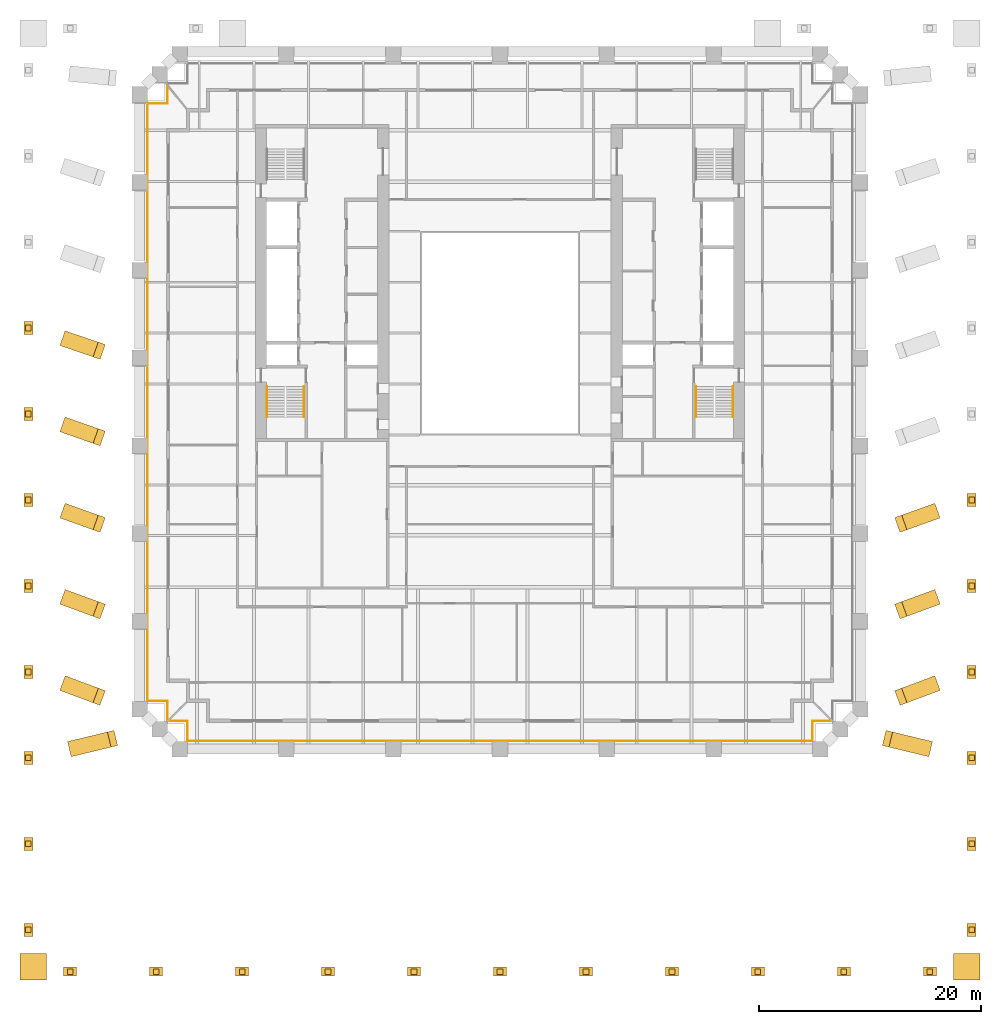
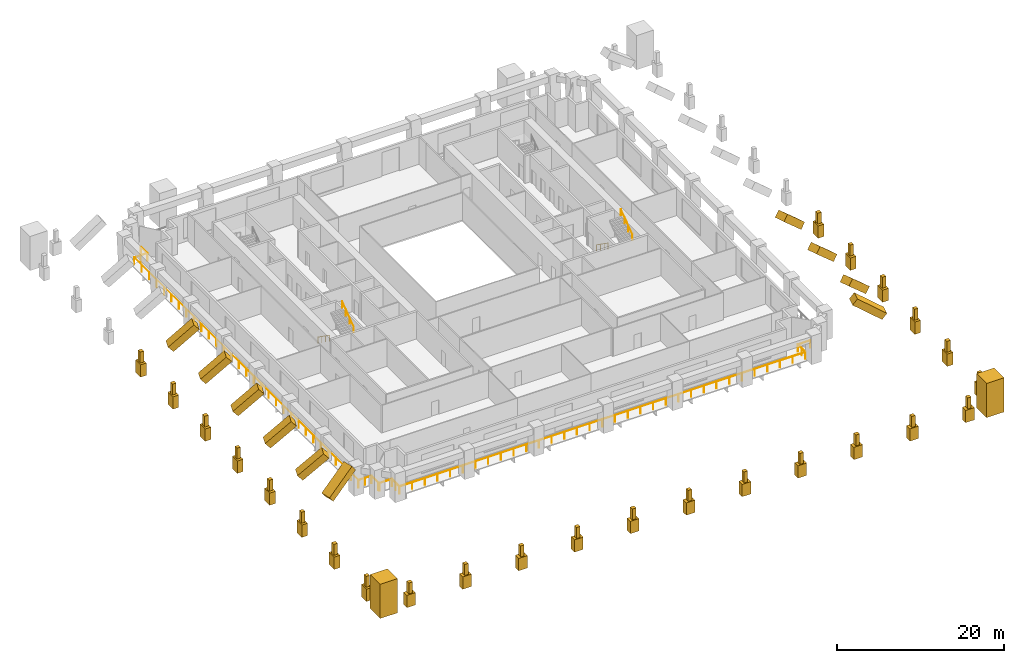
# One storey, part 9 of 10: 62 coverings, 6 railings.
"""IFC4 building model written with IfcOpenShell, lengths in metres."""

from ifc_helpers import new_model, si_unit, direction, frame, origin, origin_2d, place, context, subcontext, project, spatial, rectangle, circle, extrude, material, material_profile, profile_set, type_object, element, save


model = new_model("IFC4")

# Units and contexts
model_context = context("Model", 3, precision=1e-05, world=origin(), true_north=direction((0.0, 1.0)))
body_context = subcontext(model_context, "Body", "Model", "MODEL_VIEW")
ifc_project = project(units=[si_unit("LENGTHUNIT", "METRE"), si_unit("AREAUNIT", "SQUARE_METRE"), si_unit("VOLUMEUNIT", "CUBIC_METRE"), si_unit("PLANEANGLEUNIT", "RADIAN"), si_unit("MASSUNIT", "GRAM", prefix="KILO")], contexts=[model_context])

# Site, building, storey
site_placement = place(None, origin())
site = spatial("IfcSite", under=ifc_project, at=site_placement, CompositionType="ELEMENT")
building_placement = place(site_placement, origin())
building = spatial("IfcBuilding", under=site, at=building_placement, Name="Ogive Exchange Tower", CompositionType="ELEMENT")
storey_placement = place(building_placement, frame((0.0, 0.0, 39.60009765625)))
storey = spatial("IfcBuildingStorey", under=building, at=storey_placement, Name="L07", CompositionType="ELEMENT", Elevation=39.60009765625)

# Railings
ifc_material_1 = material(Name="Stainless steel 316", Category="steel")
railing_type_1 = type_object("IfcRailingType", Name="Guard 1100 stainless steel and glass", PredefinedType="GUARDRAIL", material=ifc_material_1)
railing_1_placement = place(storey_placement, frame((29.7880859375, -27.8798828125, -0.050048828125)))
element("IfcRailing", 1, at=railing_1_placement, inside=storey, type_object=railing_type_1, Name="Loggia guard 1", PredefinedType="GUARDRAIL", context=body_context, shape_type="SweptSolid", body=[
    extrude(circle(Radius=0.02392578125, at=origin_2d()), frame((0.0, 0.0, 1.076171875), z_axis=(-1.0, 0.0, 0.0), x_axis=(0.0, -1.0, 0.0)), (0.0, 0.0, 1.0), 1.7080078125),
    extrude(circle(Radius=0.02392578125, at=origin_2d()), frame((-1.7080078125, 0.0, 1.076171875), z_axis=(0.0, -1.0, 0.0), x_axis=(1.0, 0.0, 0.0)), (0.0, 0.0, 1.0), 1.800048828125),
    extrude(circle(Radius=0.02392578125, at=origin_2d()), frame((-1.7080078125, -1.800048828125, 1.076171875), z_axis=(-1.0, 0.0, 0.0), x_axis=(0.0, -1.0, 0.0)), (0.0, 0.0, 1.0), 56.16015625),
    extrude(circle(Radius=0.02392578125, at=origin_2d()), frame((-57.8681640625, -1.800048828125, 1.076171875), z_axis=(0.0, 1.0, 0.0), x_axis=(-1.0, 0.0, 0.0)), (0.0, 0.0, 1.0), 1.800048828125),
    extrude(circle(Radius=0.02392578125, at=origin_2d()), frame((-57.8681640625, 0.0, 1.076171875), z_axis=(-1.0, 0.0, 0.0), x_axis=(0.0, -1.0, 0.0)), (0.0, 0.0, 1.0), 1.7080078125),
    extrude(circle(Radius=0.02099609375, at=origin_2d()), origin(), (0.0, 0.0, 1.0), 1.052001953125),
    extrude(circle(Radius=0.02099609375, at=origin_2d()), frame((-1.7080078125, 0.0, 0.0)), (0.0, 0.0, 1.0), 1.052001953125),
    extrude(circle(Radius=0.02099609375, at=origin_2d()), frame((-1.7080078125, -0.89990234375, 0.0)), (0.0, 0.0, 1.0), 1.052001953125),
    extrude(circle(Radius=0.02099609375, at=origin_2d()), frame((-1.7080078125, -1.800048828125, 0.0)), (0.0, 0.0, 1.0), 1.052001953125),
    extrude(circle(Radius=0.02099609375, at=origin_2d()), frame((-3.462890625, -1.800048828125, 0.0)), (0.0, 0.0, 1.0), 1.052001953125),
    extrude(circle(Radius=0.02099609375, at=origin_2d()), frame((-5.218017578125, -1.800048828125, 0.0)), (0.0, 0.0, 1.0), 1.052001953125),
    extrude(circle(Radius=0.02099609375, at=origin_2d()), frame((-6.97314453125, -1.800048828125, 0.0)), (0.0, 0.0, 1.0), 1.052001953125),
    extrude(circle(Radius=0.02099609375, at=origin_2d()), frame((-8.72802734375, -1.800048828125, 0.0)), (0.0, 0.0, 1.0), 1.052001953125),
    extrude(circle(Radius=0.02099609375, at=origin_2d()), frame((-10.48291015625, -1.800048828125, 0.0)), (0.0, 0.0, 1.0), 1.052001953125),
    extrude(circle(Radius=0.02099609375, at=origin_2d()), frame((-12.238037109375, -1.800048828125, 0.0)), (0.0, 0.0, 1.0), 1.052001953125),
    extrude(circle(Radius=0.02099609375, at=origin_2d()), frame((-13.9931640625, -1.800048828125, 0.0)), (0.0, 0.0, 1.0), 1.052001953125),
    extrude(circle(Radius=0.02099609375, at=origin_2d()), frame((-15.748046875, -1.800048828125, 0.0)), (0.0, 0.0, 1.0), 1.052001953125),
    extrude(circle(Radius=0.02099609375, at=origin_2d()), frame((-17.5029296875, -1.800048828125, 0.0)), (0.0, 0.0, 1.0), 1.052001953125),
    extrude(circle(Radius=0.02099609375, at=origin_2d()), frame((-19.258056640625, -1.800048828125, 0.0)), (0.0, 0.0, 1.0), 1.052001953125),
    extrude(circle(Radius=0.02099609375, at=origin_2d()), frame((-21.01318359375, -1.800048828125, 0.0)), (0.0, 0.0, 1.0), 1.052001953125),
    extrude(circle(Radius=0.02099609375, at=origin_2d()), frame((-22.76806640625, -1.800048828125, 0.0)), (0.0, 0.0, 1.0), 1.052001953125),
    extrude(circle(Radius=0.02099609375, at=origin_2d()), frame((-24.52294921875, -1.800048828125, 0.0)), (0.0, 0.0, 1.0), 1.052001953125),
    extrude(circle(Radius=0.02099609375, at=origin_2d()), frame((-26.278076171875, -1.800048828125, 0.0)), (0.0, 0.0, 1.0), 1.052001953125),
    extrude(circle(Radius=0.02099609375, at=origin_2d()), frame((-28.033203125, -1.800048828125, 0.0)), (0.0, 0.0, 1.0), 1.052001953125),
    extrude(circle(Radius=0.02099609375, at=origin_2d()), frame((-29.7880859375, -1.800048828125, 0.0)), (0.0, 0.0, 1.0), 1.052001953125),
    extrude(circle(Radius=0.02099609375, at=origin_2d()), frame((-31.54296875, -1.800048828125, 0.0)), (0.0, 0.0, 1.0), 1.052001953125),
    extrude(circle(Radius=0.02099609375, at=origin_2d()), frame((-33.298095703125, -1.800048828125, 0.0)), (0.0, 0.0, 1.0), 1.052001953125),
    extrude(circle(Radius=0.02099609375, at=origin_2d()), frame((-35.05322265625, -1.800048828125, 0.0)), (0.0, 0.0, 1.0), 1.052001953125),
    extrude(circle(Radius=0.02099609375, at=origin_2d()), frame((-36.80810546875, -1.800048828125, 0.0)), (0.0, 0.0, 1.0), 1.052001953125),
    extrude(circle(Radius=0.02099609375, at=origin_2d()), frame((-38.56298828125, -1.800048828125, 0.0)), (0.0, 0.0, 1.0), 1.052001953125),
    extrude(circle(Radius=0.02099609375, at=origin_2d()), frame((-40.318115234375, -1.800048828125, 0.0)), (0.0, 0.0, 1.0), 1.052001953125),
    extrude(circle(Radius=0.02099609375, at=origin_2d()), frame((-42.0732421875, -1.800048828125, 0.0)), (0.0, 0.0, 1.0), 1.052001953125),
    extrude(circle(Radius=0.02099609375, at=origin_2d()), frame((-43.828125, -1.800048828125, 0.0)), (0.0, 0.0, 1.0), 1.052001953125),
    extrude(circle(Radius=0.02099609375, at=origin_2d()), frame((-45.5830078125, -1.800048828125, 0.0)), (0.0, 0.0, 1.0), 1.052001953125),
    extrude(circle(Radius=0.02099609375, at=origin_2d()), frame((-47.338134765625, -1.800048828125, 0.0)), (0.0, 0.0, 1.0), 1.052001953125),
    extrude(circle(Radius=0.02099609375, at=origin_2d()), frame((-49.09326171875, -1.800048828125, 0.0)), (0.0, 0.0, 1.0), 1.052001953125),
    extrude(circle(Radius=0.02099609375, at=origin_2d()), frame((-50.84814453125, -1.800048828125, 0.0)), (0.0, 0.0, 1.0), 1.052001953125),
    extrude(circle(Radius=0.02099609375, at=origin_2d()), frame((-52.60302734375, -1.800048828125, 0.0)), (0.0, 0.0, 1.0), 1.052001953125),
    extrude(circle(Radius=0.02099609375, at=origin_2d()), frame((-54.358154296875, -1.800048828125, 0.0)), (0.0, 0.0, 1.0), 1.052001953125),
    extrude(circle(Radius=0.02099609375, at=origin_2d()), frame((-56.11328125, -1.800048828125, 0.0)), (0.0, 0.0, 1.0), 1.052001953125),
    extrude(circle(Radius=0.02099609375, at=origin_2d()), frame((-57.8681640625, -1.800048828125, 0.0)), (0.0, 0.0, 1.0), 1.052001953125),
    extrude(circle(Radius=0.02099609375, at=origin_2d()), frame((-57.8681640625, -0.89990234375, 0.0)), (0.0, 0.0, 1.0), 1.052001953125),
    extrude(circle(Radius=0.02099609375, at=origin_2d()), frame((-57.8681640625, 0.0, 0.0)), (0.0, 0.0, 1.0), 1.052001953125),
    extrude(circle(Radius=0.02099609375, at=origin_2d()), frame((-59.576171875, 0.0, 0.0)), (0.0, 0.0, 1.0), 1.052001953125),
])
railing_2_placement = place(storey_placement, frame((-29.8798828125, -27.7880859375, -0.050048828125)))
element("IfcRailing", 2, at=railing_2_placement, inside=storey, type_object=railing_type_1, Name="Loggia guard 2", PredefinedType="GUARDRAIL", context=body_context, shape_type="SweptSolid", body=[
    extrude(circle(Radius=0.02392578125, at=origin_2d()), frame((0.0, 0.0, 1.076171875), z_axis=(0.0, 1.0, 0.0), x_axis=(-1.0, 0.0, 0.0)), (0.0, 0.0, 1.0), 1.7080078125),
    extrude(circle(Radius=0.02392578125, at=origin_2d()), frame((0.0, 1.7080078125, 1.076171875), z_axis=(-1.0, 0.0, 0.0), x_axis=(0.0, -1.0, 0.0)), (0.0, 0.0, 1.0), 1.800048828125),
    extrude(circle(Radius=0.02392578125, at=origin_2d()), frame((-1.800048828125, 1.7080078125, 1.076171875), z_axis=(0.0, 1.0, 0.0), x_axis=(-1.0, 0.0, 0.0)), (0.0, 0.0, 1.0), 53.70556640625),
    extrude(circle(Radius=0.02392578125, at=origin_2d()), frame((-1.800048828125, 55.41357421875, 1.076171875), z_axis=(1.0, 0.0, 0.0), x_axis=(0.0, 1.0, 0.0)), (0.0, 0.0, 1.0), 1.800048828125),
    extrude(circle(Radius=0.02392578125, at=origin_2d()), frame((0.0, 55.41357421875, 1.076171875), z_axis=(0.0, 1.0, 0.0), x_axis=(-1.0, 0.0, 0.0)), (0.0, 0.0, 1.0), 1.533447265625),
    extrude(circle(Radius=0.02099609375, at=origin_2d()), origin(), (0.0, 0.0, 1.0), 1.052001953125),
    extrude(circle(Radius=0.02099609375, at=origin_2d()), frame((0.0, 1.7080078125, 0.0)), (0.0, 0.0, 1.0), 1.052001953125),
    extrude(circle(Radius=0.02099609375, at=origin_2d()), frame((-0.89990234375, 1.7080078125, 0.0)), (0.0, 0.0, 1.0), 1.052001953125),
    extrude(circle(Radius=0.02099609375, at=origin_2d()), frame((-1.800048828125, 1.7080078125, 0.0)), (0.0, 0.0, 1.0), 1.052001953125),
    extrude(circle(Radius=0.02099609375, at=origin_2d()), frame((-1.800048828125, 3.498291015625, 0.0)), (0.0, 0.0, 1.0), 1.052001953125),
    extrude(circle(Radius=0.02099609375, at=origin_2d()), frame((-1.800048828125, 5.288330078125, 0.0)), (0.0, 0.0, 1.0), 1.052001953125),
    extrude(circle(Radius=0.02099609375, at=origin_2d()), frame((-1.800048828125, 7.07861328125, 0.0)), (0.0, 0.0, 1.0), 1.052001953125),
    extrude(circle(Radius=0.02099609375, at=origin_2d()), frame((-1.800048828125, 8.86865234375, 0.0)), (0.0, 0.0, 1.0), 1.052001953125),
    extrude(circle(Radius=0.02099609375, at=origin_2d()), frame((-1.800048828125, 10.658935546875, 0.0)), (0.0, 0.0, 1.0), 1.052001953125),
    extrude(circle(Radius=0.02099609375, at=origin_2d()), frame((-1.800048828125, 12.44921875, 0.0)), (0.0, 0.0, 1.0), 1.052001953125),
    extrude(circle(Radius=0.02099609375, at=origin_2d()), frame((-1.800048828125, 14.2392578125, 0.0)), (0.0, 0.0, 1.0), 1.052001953125),
    extrude(circle(Radius=0.02099609375, at=origin_2d()), frame((-1.800048828125, 16.029541015625, 0.0)), (0.0, 0.0, 1.0), 1.052001953125),
    extrude(circle(Radius=0.02099609375, at=origin_2d()), frame((-1.800048828125, 17.819580078125, 0.0)), (0.0, 0.0, 1.0), 1.052001953125),
    extrude(circle(Radius=0.02099609375, at=origin_2d()), frame((-1.800048828125, 19.60986328125, 0.0)), (0.0, 0.0, 1.0), 1.052001953125),
    extrude(circle(Radius=0.02099609375, at=origin_2d()), frame((-1.800048828125, 21.400146484375, 0.0)), (0.0, 0.0, 1.0), 1.052001953125),
    extrude(circle(Radius=0.02099609375, at=origin_2d()), frame((-1.800048828125, 23.190185546875, 0.0)), (0.0, 0.0, 1.0), 1.052001953125),
    extrude(circle(Radius=0.02099609375, at=origin_2d()), frame((-1.800048828125, 24.98046875, 0.0)), (0.0, 0.0, 1.0), 1.052001953125),
    extrude(circle(Radius=0.02099609375, at=origin_2d()), frame((-1.800048828125, 26.7705078125, 0.0)), (0.0, 0.0, 1.0), 1.052001953125),
    extrude(circle(Radius=0.02099609375, at=origin_2d()), frame((-1.800048828125, 28.560791015625, 0.0)), (0.0, 0.0, 1.0), 1.052001953125),
    extrude(circle(Radius=0.02099609375, at=origin_2d()), frame((-1.800048828125, 30.35107421875, 0.0)), (0.0, 0.0, 1.0), 1.052001953125),
    extrude(circle(Radius=0.02099609375, at=origin_2d()), frame((-1.800048828125, 32.14111328125, 0.0)), (0.0, 0.0, 1.0), 1.052001953125),
    extrude(circle(Radius=0.02099609375, at=origin_2d()), frame((-1.800048828125, 33.931396484375, 0.0)), (0.0, 0.0, 1.0), 1.052001953125),
    extrude(circle(Radius=0.02099609375, at=origin_2d()), frame((-1.800048828125, 35.721435546875, 0.0)), (0.0, 0.0, 1.0), 1.052001953125),
    extrude(circle(Radius=0.02099609375, at=origin_2d()), frame((-1.800048828125, 37.51171875, 0.0)), (0.0, 0.0, 1.0), 1.052001953125),
    extrude(circle(Radius=0.02099609375, at=origin_2d()), frame((-1.800048828125, 39.302001953125, 0.0)), (0.0, 0.0, 1.0), 1.052001953125),
    extrude(circle(Radius=0.02099609375, at=origin_2d()), frame((-1.800048828125, 41.092041015625, 0.0)), (0.0, 0.0, 1.0), 1.052001953125),
    extrude(circle(Radius=0.02099609375, at=origin_2d()), frame((-1.800048828125, 42.88232421875, 0.0)), (0.0, 0.0, 1.0), 1.052001953125),
    extrude(circle(Radius=0.02099609375, at=origin_2d()), frame((-1.800048828125, 44.67236328125, 0.0)), (0.0, 0.0, 1.0), 1.052001953125),
    extrude(circle(Radius=0.02099609375, at=origin_2d()), frame((-1.800048828125, 46.462646484375, 0.0)), (0.0, 0.0, 1.0), 1.052001953125),
    extrude(circle(Radius=0.02099609375, at=origin_2d()), frame((-1.800048828125, 48.2529296875, 0.0)), (0.0, 0.0, 1.0), 1.052001953125),
    extrude(circle(Radius=0.02099609375, at=origin_2d()), frame((-1.800048828125, 50.04296875, 0.0)), (0.0, 0.0, 1.0), 1.052001953125),
    extrude(circle(Radius=0.02099609375, at=origin_2d()), frame((-1.800048828125, 51.833251953125, 0.0)), (0.0, 0.0, 1.0), 1.052001953125),
    extrude(circle(Radius=0.02099609375, at=origin_2d()), frame((-1.800048828125, 53.623291015625, 0.0)), (0.0, 0.0, 1.0), 1.052001953125),
    extrude(circle(Radius=0.02099609375, at=origin_2d()), frame((-1.800048828125, 55.41357421875, 0.0)), (0.0, 0.0, 1.0), 1.052001953125),
    extrude(circle(Radius=0.02099609375, at=origin_2d()), frame((-0.89990234375, 55.41357421875, 0.0)), (0.0, 0.0, 1.0), 1.052001953125),
    extrude(circle(Radius=0.02099609375, at=origin_2d()), frame((0.0, 55.41357421875, 0.0)), (0.0, 0.0, 1.0), 1.052001953125),
    extrude(circle(Radius=0.02099609375, at=origin_2d()), frame((0.0, 56.947021484375, 0.0)), (0.0, 0.0, 1.0), 1.052001953125),
])

# Coverings
ifc_material_2 = material(Name="Precast concrete C50/60", Category="concrete")
ifc_material_profile_1 = material_profile(ifc_material_2, rectangle(XDim=1.199951171875, YDim=0.800048828125, at=origin_2d()), Name="BUTTRESS PIER 3 1200 x 800")
ifc_profile_set_1 = profile_set([ifc_material_profile_1], Name="Precast concrete C50/60")
covering_type_1 = type_object("IfcCoveringType", Name="Precast buttress pier stage 3 1200 x 800 C50/60", PredefinedType="CLADDING", material=ifc_profile_set_1)
for number, where, z_axis, x_axis, name in (
    (3, (-42.39990234375, 7.4599609375, 0.0), (0.0, 0.0, 1.0), (0.0, 1.0, 0.0), "Buttress pier 8 stage 3"),
    (4, (-42.39990234375, -0.27001953125, 0.0), (0.0, 0.0, 1.0), (0.0, 1.0, 0.0), "Buttress pier 9 stage 3"),
    (5, (-42.39990234375, -8.0, 0.0), (0.0, 0.0, 1.0), (0.0, 1.0, 0.0), "Buttress pier 10 stage 3"),
    (6, (-42.39990234375, -15.72998046875, 0.0), (0.0, 0.0, 1.0), (0.0, 1.0, 0.0), "Buttress pier 11 stage 3"),
    (7, (-42.39990234375, -23.4599609375, 0.0), (0.0, 0.0, 1.0), (0.0, 1.0, 0.0), "Buttress pier 12 stage 3"),
    (8, (-42.39990234375, -31.18994140625, 0.0), (0.0, 0.0, 1.0), (0.0, 1.0, 0.0), "Buttress pier 13 stage 3"),
    (9, (-42.39990234375, -38.919921875, 0.0), (0.0, 0.0, 1.0), (0.0, 1.0, 0.0), "Buttress pier 14 stage 3"),
    (10, (-42.39990234375, -46.64990234375, 0.0), (0.0, 0.0, 1.0), (0.0, 1.0, 0.0), "Buttress pier 15 stage 3"),
    (11, (-38.64990234375, -50.39990234375, 0.0), (0.0, 0.0, 1.0), (1.0, 0.0, 0.0), "Buttress pier 16 stage 3"),
    (12, (-30.919921875, -50.39990234375, 0.0), (0.0, 0.0, 1.0), (1.0, 0.0, 0.0), "Buttress pier 17 stage 3"),
    (13, (-23.18994140625, -50.39990234375, 0.0), (0.0, 0.0, 1.0), (1.0, 0.0, 0.0), "Buttress pier 18 stage 3"),
    (14, (-15.4599609375, -50.39990234375, 0.0), (0.0, 0.0, 1.0), (1.0, 0.0, 0.0), "Buttress pier 19 stage 3"),
    (15, (-7.72998046875, -50.39990234375, 0.0), (0.0, 0.0, 1.0), (1.0, 0.0, 0.0), "Buttress pier 20 stage 3"),
    (16, (0.0, -50.39990234375, 0.0), (0.0, 0.0, 1.0), (1.0, 0.0, 0.0), "Buttress pier 21 stage 3"),
    (17, (7.72998046875, -50.39990234375, 0.0), (0.0, 0.0, 1.0), (1.0, 0.0, 0.0), "Buttress pier 22 stage 3"),
    (18, (15.4599609375, -50.39990234375, 0.0), (0.0, 0.0, 1.0), (1.0, 0.0, 0.0), "Buttress pier 23 stage 3"),
    (19, (23.18994140625, -50.39990234375, 0.0), (0.0, 0.0, 1.0), (1.0, 0.0, 0.0), "Buttress pier 24 stage 3"),
    (20, (30.919921875, -50.39990234375, 0.0), (0.0, 0.0, 1.0), (1.0, 0.0, 0.0), "Buttress pier 25 stage 3"),
    (21, (38.64990234375, -50.39990234375, 0.0), (0.0, 0.0, 1.0), (1.0, 0.0, 0.0), "Buttress pier 26 stage 3"),
    (22, (42.39990234375, -46.64990234375, 0.0), (0.0, 0.0, 1.0), (0.0, 1.0, 0.0), "Buttress pier 27 stage 3"),
    (23, (42.39990234375, -38.919921875, 0.0), (0.0, 0.0, 1.0), (0.0, 1.0, 0.0), "Buttress pier 28 stage 3"),
    (24, (42.39990234375, -31.18994140625, 0.0), (0.0, 0.0, 1.0), (0.0, 1.0, 0.0), "Buttress pier 29 stage 3"),
    (25, (42.39990234375, -23.4599609375, 0.0), (0.0, 0.0, 1.0), (0.0, 1.0, 0.0), "Buttress pier 30 stage 3"),
    (26, (42.39990234375, -15.72998046875, 0.0), (0.0, 0.0, 1.0), (0.0, 1.0, 0.0), "Buttress pier 31 stage 3"),
    (27, (42.39990234375, -8.0, 0.0), (0.0, 0.0, 1.0), (0.0, 1.0, 0.0), "Buttress pier 32 stage 3"),
):
    element("IfcCovering", number, at=place(storey_placement, frame(where, z_axis=z_axis, x_axis=x_axis)), inside=storey, type_object=covering_type_1, Name=name, PredefinedType="CLADDING", context=body_context, shape_type="SweptSolid", body=[
        extrude(rectangle(XDim=1.199951171875, YDim=0.800048828125, at=origin_2d()), origin(), (0.0, 0.0, 1.0), 1.7998046875),
    ])
ifc_material_profile_2 = material_profile(ifc_material_2, rectangle(XDim=0.5, YDim=0.5, at=origin_2d()), Name="BUTTRESS PIER 4 500 x 500")
ifc_profile_set_2 = profile_set([ifc_material_profile_2], Name="Precast concrete C50/60")
covering_type_2 = type_object("IfcCoveringType", Name="Precast buttress pier stage 4 500 x 500 C50/60", PredefinedType="CLADDING", material=ifc_profile_set_2)
for number, where, z_axis, x_axis, name in (
    (28, (-42.39990234375, 7.4599609375, 1.7998046875), (0.0, 0.0, 1.0), (0.0, 1.0, 0.0), "Buttress pier 8 stage 4"),
    (29, (-42.39990234375, -0.27001953125, 1.7998046875), (0.0, 0.0, 1.0), (0.0, 1.0, 0.0), "Buttress pier 9 stage 4"),
    (30, (-42.39990234375, -8.0, 1.7998046875), (0.0, 0.0, 1.0), (0.0, 1.0, 0.0), "Buttress pier 10 stage 4"),
    (31, (-42.39990234375, -15.72998046875, 1.7998046875), (0.0, 0.0, 1.0), (0.0, 1.0, 0.0), "Buttress pier 11 stage 4"),
    (32, (-42.39990234375, -23.4599609375, 1.7998046875), (0.0, 0.0, 1.0), (0.0, 1.0, 0.0), "Buttress pier 12 stage 4"),
    (33, (-42.39990234375, -31.18994140625, 1.7998046875), (0.0, 0.0, 1.0), (0.0, 1.0, 0.0), "Buttress pier 13 stage 4"),
    (34, (-42.39990234375, -38.919921875, 1.7998046875), (0.0, 0.0, 1.0), (0.0, 1.0, 0.0), "Buttress pier 14 stage 4"),
    (35, (-42.39990234375, -46.64990234375, 1.7998046875), (0.0, 0.0, 1.0), (0.0, 1.0, 0.0), "Buttress pier 15 stage 4"),
    (36, (-38.64990234375, -50.39990234375, 1.7998046875), (0.0, 0.0, 1.0), (1.0, 0.0, 0.0), "Buttress pier 16 stage 4"),
    (37, (-30.919921875, -50.39990234375, 1.7998046875), (0.0, 0.0, 1.0), (1.0, 0.0, 0.0), "Buttress pier 17 stage 4"),
    (38, (-23.18994140625, -50.39990234375, 1.7998046875), (0.0, 0.0, 1.0), (1.0, 0.0, 0.0), "Buttress pier 18 stage 4"),
    (39, (-15.4599609375, -50.39990234375, 1.7998046875), (0.0, 0.0, 1.0), (1.0, 0.0, 0.0), "Buttress pier 19 stage 4"),
    (40, (-7.72998046875, -50.39990234375, 1.7998046875), (0.0, 0.0, 1.0), (1.0, 0.0, 0.0), "Buttress pier 20 stage 4"),
    (41, (0.0, -50.39990234375, 1.7998046875), (0.0, 0.0, 1.0), (1.0, 0.0, 0.0), "Buttress pier 21 stage 4"),
    (42, (7.72998046875, -50.39990234375, 1.7998046875), (0.0, 0.0, 1.0), (1.0, 0.0, 0.0), "Buttress pier 22 stage 4"),
    (43, (15.4599609375, -50.39990234375, 1.7998046875), (0.0, 0.0, 1.0), (1.0, 0.0, 0.0), "Buttress pier 23 stage 4"),
    (44, (23.18994140625, -50.39990234375, 1.7998046875), (0.0, 0.0, 1.0), (1.0, 0.0, 0.0), "Buttress pier 24 stage 4"),
    (45, (30.919921875, -50.39990234375, 1.7998046875), (0.0, 0.0, 1.0), (1.0, 0.0, 0.0), "Buttress pier 25 stage 4"),
    (46, (38.64990234375, -50.39990234375, 1.7998046875), (0.0, 0.0, 1.0), (1.0, 0.0, 0.0), "Buttress pier 26 stage 4"),
    (47, (42.39990234375, -46.64990234375, 1.7998046875), (0.0, 0.0, 1.0), (0.0, 1.0, 0.0), "Buttress pier 27 stage 4"),
    (48, (42.39990234375, -38.919921875, 1.7998046875), (0.0, 0.0, 1.0), (0.0, 1.0, 0.0), "Buttress pier 28 stage 4"),
    (49, (42.39990234375, -31.18994140625, 1.7998046875), (0.0, 0.0, 1.0), (0.0, 1.0, 0.0), "Buttress pier 29 stage 4"),
    (50, (42.39990234375, -23.4599609375, 1.7998046875), (0.0, 0.0, 1.0), (0.0, 1.0, 0.0), "Buttress pier 30 stage 4"),
    (51, (42.39990234375, -15.72998046875, 1.7998046875), (0.0, 0.0, 1.0), (0.0, 1.0, 0.0), "Buttress pier 31 stage 4"),
    (52, (42.39990234375, -8.0, 1.7998046875), (0.0, 0.0, 1.0), (0.0, 1.0, 0.0), "Buttress pier 32 stage 4"),
):
    element("IfcCovering", number, at=place(storey_placement, frame(where, z_axis=z_axis, x_axis=x_axis)), inside=storey, type_object=covering_type_2, Name=name, PredefinedType="CLADDING", context=body_context, shape_type="SweptSolid", body=[
        extrude(rectangle(XDim=0.5, YDim=0.5, at=origin_2d()), origin(), (0.0, 0.0, 1.0), 1.60009765625),
    ])
ifc_material_profile_3 = material_profile(ifc_material_2, rectangle(XDim=2.39990234375, YDim=2.39990234375, at=origin_2d()), Name="CORNER TURRET 2 2400 x 2400")
ifc_profile_set_3 = profile_set([ifc_material_profile_3], Name="Precast concrete C50/60")
covering_type_3 = type_object("IfcCoveringType", Name="Precast corner turret stage 2 2400 x 2400 C50/60", PredefinedType="CLADDING", material=ifc_profile_set_3)
for number, where, z_axis, x_axis, name in (
    (53, (-41.949951171875, -49.949951171875, 0.0), (0.0, 0.0, 1.0), (1.0, 0.0, 0.0), "Corner turret 5 stage 2"),
    (54, (41.949951171875, -49.949951171875, 0.0), (0.0, 0.0, 1.0), (1.0, 0.0, 0.0), "Corner turret 6 stage 2"),
):
    element("IfcCovering", number, at=place(storey_placement, frame(where, z_axis=z_axis, x_axis=x_axis)), inside=storey, type_object=covering_type_3, Name=name, PredefinedType="CLADDING", context=body_context, shape_type="SweptSolid", body=[
        extrude(rectangle(XDim=2.39990234375, YDim=2.39990234375, at=origin_2d()), origin(), (0.0, 0.0, 1.0), 5.0),
    ])
ifc_material_profile_4 = material_profile(ifc_material_2, rectangle(XDim=1.39990234375, YDim=1.0, at=origin_2d()), Name="FLYING BUTTRESS 2 1400 x 1000")
ifc_profile_set_4 = profile_set([ifc_material_profile_4], Name="Precast concrete C50/60")
covering_type_4 = type_object("IfcCoveringType", Name="Precast flying buttress stage 2 1400 x 1000 C50/60", PredefinedType="CLADDING", material=ifc_profile_set_4)
for number, where, z_axis, x_axis, name in (
    (55, (-38.4169921875, -30.326904296875, 3.471923828125), (0.770741645296, 0.185807539694, 0.609452930422), (-0.234362164886, 0.972149358725, 0.0), "Flying buttress 3 stage 2"),
    (56, (38.4169921875, -30.326904296875, 3.471923828125), (-0.770741645296, 0.185807539694, 0.609452930422), (-0.234362164886, -0.972149358725, 0.0), "Flying buttress 4 stage 2"),
):
    element("IfcCovering", number, at=place(storey_placement, frame(where, z_axis=z_axis, x_axis=x_axis)), inside=storey, type_object=covering_type_4, Name=name, PredefinedType="CLADDING", context=body_context, shape_type="SweptSolid", body=[
        extrude(rectangle(XDim=1.39990234375, YDim=1.0, at=origin_2d()), origin(), (0.0, 0.0, 1.0), 4.650146484375),
    ])
covering_1_placement = place(storey_placement, frame((-39.01708984375, 6.43994140625, 3.471923828125), z_axis=(0.703817283937, -0.240575031685, 0.668404731403), x_axis=(0.32344145552, 0.946248183539, 0.0)))
element("IfcCovering", 57, at=covering_1_placement, inside=storey, type_object=covering_type_4, Name="Flying buttress 9 stage 2", PredefinedType="CLADDING", context=body_context, shape_type="SweptSolid", body=[
    extrude(rectangle(XDim=1.39990234375, YDim=1.0, at=origin_2d()), origin(), (0.0, 0.0, 1.0), 4.239990234375),
])
covering_2_placement = place(storey_placement, frame((-39.01708984375, -1.31298828125, 3.471923828125), z_axis=(0.702852591519, -0.245880526985, 0.667488577464), x_axis=(0.330209388531, 0.943907707208, 0.0)))
element("IfcCovering", 58, at=covering_2_placement, inside=storey, type_object=covering_type_4, Name="Flying buttress 11 stage 2", PredefinedType="CLADDING", context=body_context, shape_type="SweptSolid", body=[
    extrude(rectangle(XDim=1.39990234375, YDim=1.0, at=origin_2d()), origin(), (0.0, 0.0, 1.0), 4.245849609375),
])
for number, where, z_axis, x_axis, name in (
    (59, (39.01708984375, -9.06689453125, 3.471923828125), (-0.701940440041, -0.250787360031, 0.666622320871), (0.336448647929, -0.941701814433, 0.0), "Flying buttress 13 stage 2"),
    (60, (-39.01708984375, -9.06689453125, 3.471923828125), (0.701940440041, -0.250787360031, 0.666622320871), (0.336448647929, 0.941701814433, 0.0), "Flying buttress 14 stage 2"),
):
    element("IfcCovering", number, at=place(storey_placement, frame(where, z_axis=z_axis, x_axis=x_axis)), inside=storey, type_object=covering_type_4, Name=name, PredefinedType="CLADDING", context=body_context, shape_type="SweptSolid", body=[
        extrude(rectangle(XDim=1.39990234375, YDim=1.0, at=origin_2d()), origin(), (0.0, 0.0, 1.0), 4.251220703125),
    ])
for number, where, z_axis, x_axis, name in (
    (61, (-39.01708984375, -16.820068359375, 3.471923828125), (0.700951026611, -0.255996513359, 0.665682689757), (0.343050836044, 0.939316838926, 0.0), "Flying buttress 15 stage 2"),
    (62, (39.01708984375, -16.820068359375, 3.471923828125), (-0.700951026611, -0.255996513359, 0.665682689757), (0.343050836044, -0.939316838926, 0.0), "Flying buttress 16 stage 2"),
):
    element("IfcCovering", number, at=place(storey_placement, frame(where, z_axis=z_axis, x_axis=x_axis)), inside=storey, type_object=covering_type_4, Name=name, PredefinedType="CLADDING", context=body_context, shape_type="SweptSolid", body=[
        extrude(rectangle(XDim=1.39990234375, YDim=1.0, at=origin_2d()), origin(), (0.0, 0.0, 1.0), 4.25732421875),
    ])
for number, where, z_axis, x_axis, name in (
    (63, (-39.01708984375, -24.572998046875, 3.471923828125), (0.699923246894, -0.261290172264, 0.664706622756), (0.349737123625, 0.93684787685, 0.0), "Flying buttress 17 stage 2"),
    (64, (39.01708984375, -24.572998046875, 3.471923828125), (-0.699923246894, -0.261290172264, 0.664706622756), (0.349737123625, -0.93684787685, 0.0), "Flying buttress 18 stage 2"),
):
    element("IfcCovering", number, at=place(storey_placement, frame(where, z_axis=z_axis, x_axis=x_axis)), inside=storey, type_object=covering_type_4, Name=name, PredefinedType="CLADDING", context=body_context, shape_type="SweptSolid", body=[
        extrude(rectangle(XDim=1.39990234375, YDim=1.0, at=origin_2d()), origin(), (0.0, 0.0, 1.0), 4.263427734375),
    ])

# Railings
ifc_material_3 = material(Name="Stainless steel", Category="steel")
railing_type_2 = type_object("IfcRailingType", Name="Stair handrail 900", PredefinedType="HANDRAIL", material=ifc_material_3)
railing_3_placement = place(storey_placement, frame((-20.949951171875, 2.199951171875, 0.1748046875)))
element("IfcRailing", 65, at=railing_3_placement, inside=storey, type_object=railing_type_2, Name="L07 ST1 stair handrail 1", PredefinedType="HANDRAIL", context=body_context, shape_type="SweptSolid", body=[
    extrude(circle(Radius=0.02392578125, at=origin_2d()), frame((0.0, 0.0, 0.8759765625), z_axis=(0.0, -0.819225086817, 0.573472106672), x_axis=(1.0, 0.0, 0.0)), (0.0, 0.0, 1.0), 3.35693359375),
    extrude(circle(Radius=0.02099609375, at=origin_2d()), origin(), (0.0, 0.0, 1.0), 0.851806640625),
    extrude(circle(Radius=0.02099609375, at=origin_2d()), frame((0.0, -0.916748046875, 0.6416015625)), (0.0, 0.0, 1.0), 0.851806640625),
    extrude(circle(Radius=0.02099609375, at=origin_2d()), frame((0.0, -1.833251953125, 1.283447265625)), (0.0, 0.0, 1.0), 0.851806640625),
    extrude(circle(Radius=0.02099609375, at=origin_2d()), frame((0.0, -2.75, 1.925048828125)), (0.0, 0.0, 1.0), 0.851806640625),
])
railing_4_placement = place(storey_placement, frame((-17.60009765625, -0.550048828125, 2.27490234375)))
element("IfcRailing", 66, at=railing_4_placement, inside=storey, type_object=railing_type_2, Name="L07 ST1 stair handrail 2", PredefinedType="HANDRAIL", context=body_context, shape_type="SweptSolid", body=[
    extrude(circle(Radius=0.02392578125, at=origin_2d()), frame((0.0, 0.0, 0.8759765625), z_axis=(0.0, 0.819225086817, 0.573472106672), x_axis=(-1.0, 0.0, 0.0)), (0.0, 0.0, 1.0), 3.35693359375),
    extrude(circle(Radius=0.02099609375, at=origin_2d()), origin(), (0.0, 0.0, 1.0), 0.851806640625),
    extrude(circle(Radius=0.02099609375, at=origin_2d()), frame((0.0, 0.916748046875, 0.6416015625)), (0.0, 0.0, 1.0), 0.851806640625),
    extrude(circle(Radius=0.02099609375, at=origin_2d()), frame((0.0, 1.833251953125, 1.283447265625)), (0.0, 0.0, 1.0), 0.851806640625),
    extrude(circle(Radius=0.02099609375, at=origin_2d()), frame((0.0, 2.75, 1.925048828125)), (0.0, 0.0, 1.0), 0.851806640625),
])
railing_5_placement = place(storey_placement, frame((17.60009765625, 2.199951171875, 0.1748046875)))
element("IfcRailing", 67, at=railing_5_placement, inside=storey, type_object=railing_type_2, Name="L07 ST3 stair handrail 1", PredefinedType="HANDRAIL", context=body_context, shape_type="SweptSolid", body=[
    extrude(circle(Radius=0.02392578125, at=origin_2d()), frame((0.0, 0.0, 0.8759765625), z_axis=(0.0, -0.819225086817, 0.573472106672), x_axis=(1.0, 0.0, 0.0)), (0.0, 0.0, 1.0), 3.35693359375),
    extrude(circle(Radius=0.02099609375, at=origin_2d()), origin(), (0.0, 0.0, 1.0), 0.851806640625),
    extrude(circle(Radius=0.02099609375, at=origin_2d()), frame((0.0, -0.916748046875, 0.6416015625)), (0.0, 0.0, 1.0), 0.851806640625),
    extrude(circle(Radius=0.02099609375, at=origin_2d()), frame((0.0, -1.833251953125, 1.283447265625)), (0.0, 0.0, 1.0), 0.851806640625),
    extrude(circle(Radius=0.02099609375, at=origin_2d()), frame((0.0, -2.75, 1.925048828125)), (0.0, 0.0, 1.0), 0.851806640625),
])
railing_6_placement = place(storey_placement, frame((20.949951171875, -0.550048828125, 2.27490234375)))
element("IfcRailing", 68, at=railing_6_placement, inside=storey, type_object=railing_type_2, Name="L07 ST3 stair handrail 2", PredefinedType="HANDRAIL", context=body_context, shape_type="SweptSolid", body=[
    extrude(circle(Radius=0.02392578125, at=origin_2d()), frame((0.0, 0.0, 0.8759765625), z_axis=(0.0, 0.819225086817, 0.573472106672), x_axis=(-1.0, 0.0, 0.0)), (0.0, 0.0, 1.0), 3.35693359375),
    extrude(circle(Radius=0.02099609375, at=origin_2d()), origin(), (0.0, 0.0, 1.0), 0.851806640625),
    extrude(circle(Radius=0.02099609375, at=origin_2d()), frame((0.0, 0.916748046875, 0.6416015625)), (0.0, 0.0, 1.0), 0.851806640625),
    extrude(circle(Radius=0.02099609375, at=origin_2d()), frame((0.0, 1.833251953125, 1.283447265625)), (0.0, 0.0, 1.0), 0.851806640625),
    extrude(circle(Radius=0.02099609375, at=origin_2d()), frame((0.0, 2.75, 1.925048828125)), (0.0, 0.0, 1.0), 0.851806640625),
])

save(model, "model.ifc")
